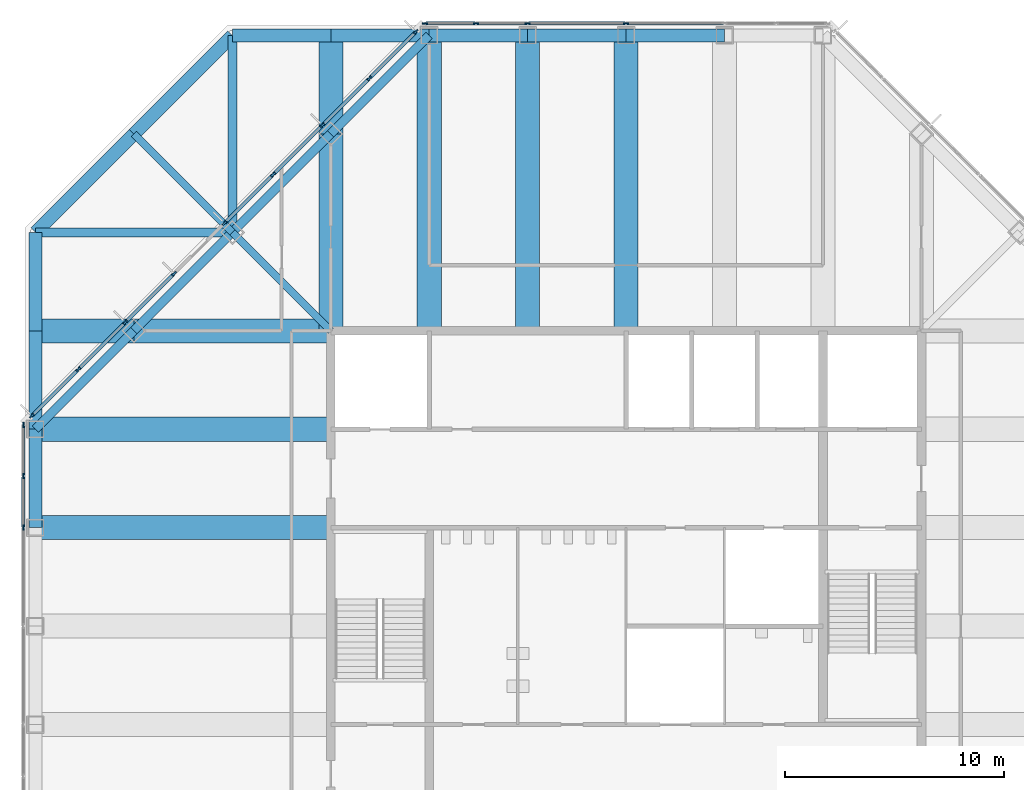
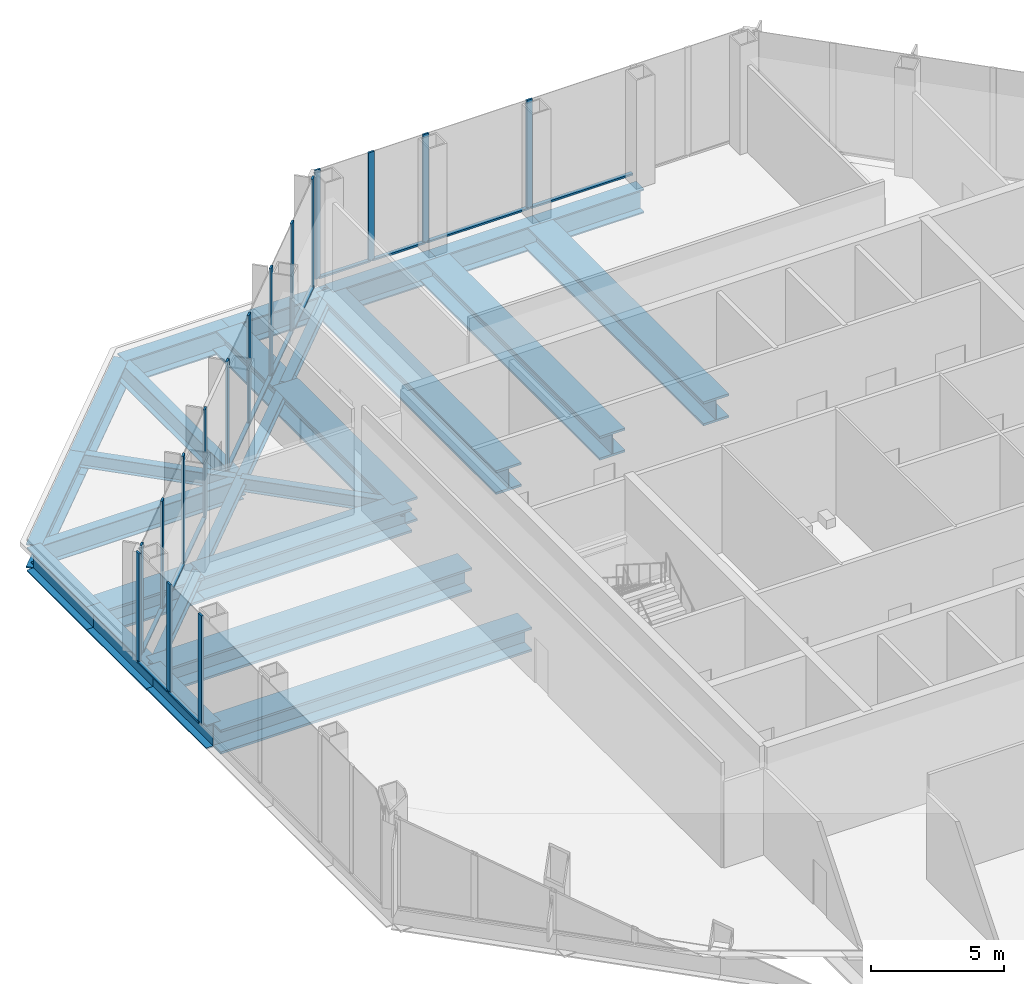
# One storey, part 4 of 12: 29 members, 27 beams, 4 elements without a shape of their own.
"""IFC4 building model written with IfcOpenShell, lengths in metres."""

from ifc_helpers import new_model, si_unit, direction, frame, origin, origin_2d, place, context, subcontext, project, spatial, rectangle, i_section, extrude, material, material_profile, profile_set, type_object, element, aggregate, save


model = new_model("IFC4")

# Units and contexts
model_context = context("Model", 3, precision=1e-05, world=origin(), true_north=direction((0.0, 1.0)))
body_context = subcontext(model_context, "Body", "Model", "MODEL_VIEW")
ifc_project = project(units=[si_unit("LENGTHUNIT", "METRE"), si_unit("AREAUNIT", "SQUARE_METRE"), si_unit("VOLUMEUNIT", "CUBIC_METRE"), si_unit("PLANEANGLEUNIT", "RADIAN"), si_unit("MASSUNIT", "GRAM", prefix="KILO")], contexts=[model_context])

# Site, building, storey
site_placement = place(None, origin())
site = spatial("IfcSite", under=ifc_project, at=site_placement, CompositionType="ELEMENT")
building_placement = place(site_placement, origin())
building = spatial("IfcBuilding", under=site, at=building_placement, Name="Corais Broadcast Tower", CompositionType="ELEMENT")
storey_placement = place(building_placement, frame((0.0, 0.0, 205.60009765625)))
storey = spatial("IfcBuildingStorey", under=building, at=storey_placement, Name="L47", CompositionType="ELEMENT", Elevation=205.60009765625)

# Beams
ifc_material_1 = material(Name="Steel ASTM A572 Grade 50", Category="steel")
ifc_material_profile_1 = material_profile(ifc_material_1, i_section(OverallWidth=0.323974609375, OverallDepth=0.611083984375, WebThickness=0.0126953125, FlangeThickness=0.01904296875, at=origin_2d()), Name="W610x155")
ifc_profile_set_1 = profile_set([ifc_material_profile_1], Name="Steel ASTM A572 Grade 50")
beam_type_1 = type_object("IfcBeamType", Name="Chamfer tie W610x155", PredefinedType="BEAM", material=ifc_profile_set_1)
beam_1_placement = place(storey_placement, frame((4.5, 49.5, -0.505615234375), z_axis=(0.707106781187, -0.707106781187, 0.0), x_axis=(0.707106781187, 0.707106781187, 0.0)))
element("IfcBeam", 1, at=beam_1_placement, inside=storey, type_object=beam_type_1, Name="B5 M/4 to L/5", PredefinedType="BEAM", context=body_context, shape_type="SweptSolid", body=[
    extrude(i_section(OverallWidth=0.323974609375, OverallDepth=0.611083984375, WebThickness=0.0126953125, FlangeThickness=0.01904296875, at=origin_2d()), origin(), (0.0, 0.0, 1.0), 6.364013671875),
])
ifc_material_2 = material(Name="Steel ASTM A572 Grade 50", Category="steel")
ifc_material_profile_2 = material_profile(ifc_material_2, i_section(OverallWidth=0.323974609375, OverallDepth=0.611083984375, WebThickness=0.0126953125, FlangeThickness=0.01904296875, at=origin_2d()), Name="W610x155")
ifc_profile_set_2 = profile_set([ifc_material_profile_2], Name="Steel ASTM A572 Grade 50")
beam_type_2 = type_object("IfcBeamType", Name="Corner diagonal W610x155", PredefinedType="BEAM", material=ifc_profile_set_2)
beam_2_placement = place(storey_placement, frame((9.0, 45.0, -0.485595703125), z_axis=(0.707106781187, -0.707106781187, 0.0), x_axis=(0.707106781187, 0.707106781187, 0.0)))
element("IfcBeam", 2, at=beam_2_placement, inside=storey, type_object=beam_type_2, Name="B6 L/5 to K/6", PredefinedType="BEAM", context=body_context, shape_type="SweptSolid", body=[
    extrude(i_section(OverallWidth=0.323974609375, OverallDepth=0.611083984375, WebThickness=0.0126953125, FlangeThickness=0.01904296875, at=origin_2d()), origin(), (0.0, 0.0, 1.0), 6.364013671875),
])

# Curtain wall, members
ifc_material_3 = material(Name="Aluminium and glass", Category="aluminium")
curtain_wall_type = type_object("IfcCurtainWallType", Name="Sky lobby curtain wall CW4", PredefinedType="NOTDEFINED", material=ifc_material_3)
curtain_wall_1_placement = place(storey_placement, origin())
curtain_wall_1 = element("IfcCurtainWall", 3, at=curtain_wall_1_placement, inside=storey, type_object=curtain_wall_type, Name="CW4 curtain wall L47 2", PredefinedType="NOTDEFINED")
ifc_material_4 = material(Name="Aluminium 6063-T6", Category="aluminium")
ifc_material_profile_3 = material_profile(ifc_material_4, rectangle(XDim=0.080078125, YDim=0.25, at=origin_2d()), Name="Mullion CW4 80x250")
ifc_profile_set_3 = profile_set([ifc_material_profile_3], Name="Aluminium 6063-T6")
member_type_1 = type_object("IfcMemberType", Name="Mullion CW4 80x250", PredefinedType="MULLION", material=ifc_profile_set_3)
member_1_placement = place(storey_placement, frame((-0.550048828125, 31.5, 0.0), z_axis=(0.0, 0.0, 1.0), x_axis=(-1.0, 0.0, 0.0)))
member_1 = element("IfcMember", 4, at=member_1_placement, type_object=member_type_1, Name="CW4 mullion 5", PredefinedType="MULLION", context=body_context, shape_type="SweptSolid", body=[
    extrude(rectangle(XDim=0.080078125, YDim=0.25, at=origin_2d()), origin(), (0.0, 0.0, 1.0), 5.0),
])
member_2_placement = place(storey_placement, frame((-0.550048828125, 33.864013671875, 0.0), z_axis=(0.0, 0.0, 1.0), x_axis=(-1.0, 0.0, 0.0)))
member_2 = element("IfcMember", 5, at=member_2_placement, type_object=member_type_1, Name="CW4 mullion 6", PredefinedType="MULLION", context=body_context, shape_type="SweptSolid", body=[
    extrude(rectangle(XDim=0.080078125, YDim=0.25, at=origin_2d()), origin(), (0.0, 0.0, 1.0), 5.0),
])
member_3_placement = place(storey_placement, frame((-0.550048828125, 36.187744140625, 0.0), z_axis=(0.0, 0.0, 1.0), x_axis=(-1.0, 0.0, 0.0)))
member_3 = element("IfcMember", 6, at=member_3_placement, type_object=member_type_1, Name="CW4 mullion 7", PredefinedType="MULLION", context=body_context, shape_type="SweptSolid", body=[
    extrude(rectangle(XDim=0.080078125, YDim=0.25, at=origin_2d()), origin(), (0.0, 0.0, 1.0), 5.0),
])

curtain_wall_2_placement = place(storey_placement, origin())
curtain_wall_2 = element("IfcCurtainWall", 7, at=curtain_wall_2_placement, inside=storey, type_object=curtain_wall_type, Name="CW4 curtain wall L47 3", PredefinedType="NOTDEFINED")
member_4_placement = place(storey_placement, frame((-0.168212890625, 36.609619140625, 0.0), z_axis=(0.0, 0.0, 1.0), x_axis=(-0.707106781187, 0.707106781187, 0.0)))
member_4 = element("IfcMember", 8, at=member_4_placement, type_object=member_type_1, Name="CW4 mullion 1", PredefinedType="MULLION", context=body_context, shape_type="SweptSolid", body=[
    extrude(rectangle(XDim=0.080078125, YDim=0.25, at=origin_2d()), origin(), (0.0, 0.0, 1.0), 5.0),
])
member_5_placement = place(storey_placement, frame((1.957275390625, 38.735107421875, 0.0), z_axis=(0.0, 0.0, 1.0), x_axis=(-0.707106781187, 0.707106781187, 0.0)))
member_5 = element("IfcMember", 9, at=member_5_placement, type_object=member_type_1, Name="CW4 mullion 2", PredefinedType="MULLION", context=body_context, shape_type="SweptSolid", body=[
    extrude(rectangle(XDim=0.080078125, YDim=0.25, at=origin_2d()), origin(), (0.0, 0.0, 1.0), 5.0),
])
member_6_placement = place(storey_placement, frame((4.111083984375, 40.888916015625, 0.0), z_axis=(0.0, 0.0, 1.0), x_axis=(-0.707106781187, 0.707106781187, 0.0)))
member_6 = element("IfcMember", 10, at=member_6_placement, type_object=member_type_1, Name="CW4 mullion 3", PredefinedType="MULLION", context=body_context, shape_type="SweptSolid", body=[
    extrude(rectangle(XDim=0.080078125, YDim=0.25, at=origin_2d()), origin(), (0.0, 0.0, 1.0), 5.0),
])
member_7_placement = place(storey_placement, frame((6.332763671875, 43.110595703125, 0.0), z_axis=(0.0, 0.0, 1.0), x_axis=(-0.707106781187, 0.707106781187, 0.0)))
member_7 = element("IfcMember", 11, at=member_7_placement, type_object=member_type_1, Name="CW4 mullion 4", PredefinedType="MULLION", context=body_context, shape_type="SweptSolid", body=[
    extrude(rectangle(XDim=0.080078125, YDim=0.25, at=origin_2d()), origin(), (0.0, 0.0, 1.0), 5.0),
])

curtain_wall_3_placement = place(storey_placement, origin())
curtain_wall_3 = element("IfcCurtainWall", 12, at=curtain_wall_3_placement, inside=storey, type_object=curtain_wall_type, Name="CW4 curtain wall L47 3", PredefinedType="NOTDEFINED")
member_8_placement = place(storey_placement, frame((8.639404296875, 45.417236328125, 0.0), z_axis=(0.0, 0.0, 1.0), x_axis=(-0.707106781187, 0.707106781187, 0.0)))
member_8 = element("IfcMember", 13, at=member_8_placement, type_object=member_type_1, Name="CW4 mullion 1", PredefinedType="MULLION", context=body_context, shape_type="SweptSolid", body=[
    extrude(rectangle(XDim=0.080078125, YDim=0.25, at=origin_2d()), origin(), (0.0, 0.0, 1.0), 5.0),
])
member_9_placement = place(storey_placement, frame((10.861083984375, 47.638916015625, 0.0), z_axis=(0.0, 0.0, 1.0), x_axis=(-0.707106781187, 0.707106781187, 0.0)))
member_9 = element("IfcMember", 14, at=member_9_placement, type_object=member_type_1, Name="CW4 mullion 2", PredefinedType="MULLION", context=body_context, shape_type="SweptSolid", body=[
    extrude(rectangle(XDim=0.080078125, YDim=0.25, at=origin_2d()), origin(), (0.0, 0.0, 1.0), 5.0),
])
member_10_placement = place(storey_placement, frame((13.111083984375, 49.888916015625, 0.0), z_axis=(0.0, 0.0, 1.0), x_axis=(-0.707106781187, 0.707106781187, 0.0)))
member_10 = element("IfcMember", 15, at=member_10_placement, type_object=member_type_1, Name="CW4 mullion 3", PredefinedType="MULLION", context=body_context, shape_type="SweptSolid", body=[
    extrude(rectangle(XDim=0.080078125, YDim=0.25, at=origin_2d()), origin(), (0.0, 0.0, 1.0), 5.0),
])
member_11_placement = place(storey_placement, frame((15.264892578125, 52.042724609375, 0.0), z_axis=(0.0, 0.0, 1.0), x_axis=(-0.707106781187, 0.707106781187, 0.0)))
member_11 = element("IfcMember", 16, at=member_11_placement, type_object=member_type_1, Name="CW4 mullion 4", PredefinedType="MULLION", context=body_context, shape_type="SweptSolid", body=[
    extrude(rectangle(XDim=0.080078125, YDim=0.25, at=origin_2d()), origin(), (0.0, 0.0, 1.0), 5.0),
])
member_12_placement = place(storey_placement, frame((17.390380859375, 54.168212890625, 0.0), z_axis=(0.0, 0.0, 1.0), x_axis=(-0.707106781187, 0.707106781187, 0.0)))
member_12 = element("IfcMember", 17, at=member_12_placement, type_object=member_type_1, Name="CW4 mullion 5", PredefinedType="MULLION", context=body_context, shape_type="SweptSolid", body=[
    extrude(rectangle(XDim=0.080078125, YDim=0.25, at=origin_2d()), origin(), (0.0, 0.0, 1.0), 5.0),
])

curtain_wall_4_placement = place(storey_placement, origin())
curtain_wall_4 = element("IfcCurtainWall", 18, at=curtain_wall_4_placement, inside=storey, type_object=curtain_wall_type, Name="CW4 curtain wall L47 4", PredefinedType="NOTDEFINED")
member_13_placement = place(storey_placement, frame((17.812255859375, 54.550048828125, 0.0), z_axis=(0.0, 0.0, 1.0), x_axis=(0.0, 1.0, 0.0)))
member_13 = element("IfcMember", 19, at=member_13_placement, type_object=member_type_1, Name="CW4 mullion 1", PredefinedType="MULLION", context=body_context, shape_type="SweptSolid", body=[
    extrude(rectangle(XDim=0.080078125, YDim=0.25, at=origin_2d()), origin(), (0.0, 0.0, 1.0), 5.0),
])
member_14_placement = place(storey_placement, frame((20.135986328125, 54.550048828125, 0.0), z_axis=(0.0, 0.0, 1.0), x_axis=(0.0, 1.0, 0.0)))
member_14 = element("IfcMember", 20, at=member_14_placement, type_object=member_type_1, Name="CW4 mullion 2", PredefinedType="MULLION", context=body_context, shape_type="SweptSolid", body=[
    extrude(rectangle(XDim=0.080078125, YDim=0.25, at=origin_2d()), origin(), (0.0, 0.0, 1.0), 5.0),
])
member_15_placement = place(storey_placement, frame((22.5, 54.550048828125, 0.0), z_axis=(0.0, 0.0, 1.0), x_axis=(0.0, 1.0, 0.0)))
member_15 = element("IfcMember", 21, at=member_15_placement, type_object=member_type_1, Name="CW4 mullion 3", PredefinedType="MULLION", context=body_context, shape_type="SweptSolid", body=[
    extrude(rectangle(XDim=0.080078125, YDim=0.25, at=origin_2d()), origin(), (0.0, 0.0, 1.0), 5.0),
])
member_16_placement = place(storey_placement, frame((27.0, 54.550048828125, 0.0), z_axis=(0.0, 0.0, 1.0), x_axis=(0.0, 1.0, 0.0)))
member_16 = element("IfcMember", 22, at=member_16_placement, type_object=member_type_1, Name="CW4 mullion 4", PredefinedType="MULLION", context=body_context, shape_type="SweptSolid", body=[
    extrude(rectangle(XDim=0.080078125, YDim=0.25, at=origin_2d()), origin(), (0.0, 0.0, 1.0), 5.0),
])

# Beams
ifc_material_5 = material(Name="Steel ASTM A572 Grade 50", Category="steel")
ifc_material_profile_4 = material_profile(ifc_material_5, i_section(OverallWidth=0.40087890625, OverallDepth=0.386962890625, WebThickness=0.02099609375, FlangeThickness=0.033203125, at=origin_2d()), Name="W360x262")
ifc_profile_set_4 = profile_set([ifc_material_profile_4], Name="Steel ASTM A572 Grade 50")
beam_type_3 = type_object("IfcBeamType", Name="Transfer chord W360x262", PredefinedType="BEAM", material=ifc_profile_set_4)
for number, where, z_axis, x_axis, name in (
    (23, (13.5, 49.5, -0.37353515625), (-0.707106781187, -0.707106781187, 0.0), (0.707106781187, -0.707106781187, 0.0), "TC1 M/6 to L/5"),
    (24, (18.0, 54.0, -0.37353515625), (-0.707106781187, -0.707106781187, 0.0), (0.707106781187, -0.707106781187, 0.0), "TC1 N/7 to M/6"),
    (25, (4.5, 40.5, -0.37353515625), (-0.707106781187, -0.707106781187, 0.0), (0.707106781187, -0.707106781187, 0.0), "TC1 K/4 to J/3"),
    (26, (9.0, 45.0, -0.37353515625), (-0.707106781187, -0.707106781187, 0.0), (0.707106781187, -0.707106781187, 0.0), "TC1 L/5 to K/4"),
):
    element("IfcBeam", number, at=place(storey_placement, frame(where, z_axis=z_axis, x_axis=x_axis)), inside=storey, type_object=beam_type_3, Name=name, PredefinedType="BEAM", context=body_context, shape_type="SweptSolid", body=[
        extrude(i_section(OverallWidth=0.40087890625, OverallDepth=0.386962890625, WebThickness=0.02099609375, FlangeThickness=0.033203125, at=origin_2d()), origin(), (0.0, 0.0, 1.0), 6.364013671875),
    ])
ifc_material_6 = material(Name="Steel ASTM A572 Grade 50", Category="steel")
ifc_material_profile_5 = material_profile(ifc_material_6, i_section(OverallWidth=0.408935546875, OverallDepth=0.927001953125, WebThickness=0.0166015625, FlangeThickness=0.030029296875, at=origin_2d()), Name="W920x289")
ifc_profile_set_5 = profile_set([ifc_material_profile_5], Name="Steel ASTM A572 Grade 50")
beam_type_4 = type_object("IfcBeamType", Name="Transfer corner girder W920x289", PredefinedType="BEAM", material=ifc_profile_set_5)
for number, where, z_axis, x_axis, name in (
    (27, (0.0, 45.0, -0.66357421875), (1.0, 0.0, 0.0), (0.0, 1.0, 0.0), "B14 L/3 to L/5"),
    (28, (9.0, 54.0, -0.66357421875), (0.0, -1.0, 0.0), (1.0, 0.0, 0.0), "B14 N/5 to L/5"),
):
    element("IfcBeam", number, at=place(storey_placement, frame(where, z_axis=z_axis, x_axis=x_axis)), inside=storey, type_object=beam_type_4, Name=name, PredefinedType="BEAM", context=body_context, shape_type="SweptSolid", body=[
        extrude(i_section(OverallWidth=0.408935546875, OverallDepth=0.927001953125, WebThickness=0.0166015625, FlangeThickness=0.030029296875, at=origin_2d()), origin(), (0.0, 0.0, 1.0), 9.0),
    ])
ifc_material_7 = material(Name="Steel ASTM A572 Grade 50", Category="steel")
ifc_material_profile_6 = material_profile(ifc_material_7, i_section(OverallWidth=1.10009765625, OverallDepth=1.10009765625, WebThickness=0.030029296875, FlangeThickness=0.10009765625, at=origin_2d()), Name="PG1100x1939")
ifc_profile_set_6 = profile_set([ifc_material_profile_6], Name="Steel ASTM A572 Grade 50")
beam_type_5 = type_object("IfcBeamType", Name="Transfer floor beam PG1100x1939", PredefinedType="BEAM", material=ifc_profile_set_6)
for number, where, z_axis, x_axis, name in (
    (29, (0.0, 31.5, -0.72998046875), (1.0, 0.0, 0.0), (0.0, 1.0, 0.0), "B19 H/3 to H/6"),
    (30, (0.0, 36.0, -0.72998046875), (1.0, 0.0, 0.0), (0.0, 1.0, 0.0), "B19 J/3 to J/6"),
):
    element("IfcBeam", number, at=place(storey_placement, frame(where, z_axis=z_axis, x_axis=x_axis)), inside=storey, type_object=beam_type_5, Name=name, PredefinedType="BEAM", context=body_context, shape_type="SweptSolid", body=[
        extrude(i_section(OverallWidth=1.10009765625, OverallDepth=1.10009765625, WebThickness=0.030029296875, FlangeThickness=0.10009765625, at=origin_2d()), origin(), (0.0, 0.0, 1.0), 13.5),
    ])
beam_3_placement = place(storey_placement, frame((0.0, 40.5, -0.75), z_axis=(1.0, 0.0, 0.0), x_axis=(0.0, 1.0, 0.0)))
element("IfcBeam", 31, at=beam_3_placement, inside=storey, type_object=beam_type_5, Name="B19 K/3 to K/4", PredefinedType="BEAM", context=body_context, shape_type="SweptSolid", body=[
    extrude(i_section(OverallWidth=1.10009765625, OverallDepth=1.10009765625, WebThickness=0.030029296875, FlangeThickness=0.10009765625, at=origin_2d()), origin(), (0.0, 0.0, 1.0), 4.5),
])
beam_4_placement = place(storey_placement, frame((13.5, 49.5, -0.72998046875), z_axis=(0.0, -1.0, 0.0), x_axis=(1.0, 0.0, 0.0)))
element("IfcBeam", 32, at=beam_4_placement, inside=storey, type_object=beam_type_5, Name="B19 M/6 to K/6", PredefinedType="BEAM", context=body_context, shape_type="SweptSolid", body=[
    extrude(i_section(OverallWidth=1.10009765625, OverallDepth=1.10009765625, WebThickness=0.030029296875, FlangeThickness=0.10009765625, at=origin_2d()), origin(), (0.0, 0.0, 1.0), 9.0),
])
beam_5_placement = place(storey_placement, frame((13.5, 54.0, -0.75), z_axis=(0.0, -1.0, 0.0), x_axis=(1.0, 0.0, 0.0)))
element("IfcBeam", 33, at=beam_5_placement, inside=storey, type_object=beam_type_5, Name="B19 N/6 to M/6", PredefinedType="BEAM", context=body_context, shape_type="SweptSolid", body=[
    extrude(i_section(OverallWidth=1.10009765625, OverallDepth=1.10009765625, WebThickness=0.030029296875, FlangeThickness=0.10009765625, at=origin_2d()), origin(), (0.0, 0.0, 1.0), 4.5),
])
for number, where, z_axis, x_axis, name in (
    (34, (18.0, 54.0, -0.72998046875), (0.0, -1.0, 0.0), (1.0, 0.0, 0.0), "B19 N/7 to K/7"),
    (35, (22.5, 54.0, -0.72998046875), (0.0, -1.0, 0.0), (1.0, 0.0, 0.0), "B19 N/8 to K/8"),
    (36, (27.0, 54.0, -0.72998046875), (0.0, -1.0, 0.0), (1.0, 0.0, 0.0), "B19 N/9 to K/9"),
):
    element("IfcBeam", number, at=place(storey_placement, frame(where, z_axis=z_axis, x_axis=x_axis)), inside=storey, type_object=beam_type_5, Name=name, PredefinedType="BEAM", context=body_context, shape_type="SweptSolid", body=[
        extrude(i_section(OverallWidth=1.10009765625, OverallDepth=1.10009765625, WebThickness=0.030029296875, FlangeThickness=0.10009765625, at=origin_2d()), origin(), (0.0, 0.0, 1.0), 13.5),
    ])
beam_6_placement = place(storey_placement, frame((4.5, 40.5, -0.72998046875), z_axis=(1.0, 0.0, 0.0), x_axis=(0.0, 1.0, 0.0)))
element("IfcBeam", 37, at=beam_6_placement, inside=storey, type_object=beam_type_5, Name="B19 K/4 to K/6", PredefinedType="BEAM", context=body_context, shape_type="SweptSolid", body=[
    extrude(i_section(OverallWidth=1.10009765625, OverallDepth=1.10009765625, WebThickness=0.030029296875, FlangeThickness=0.10009765625, at=origin_2d()), origin(), (0.0, 0.0, 1.0), 9.0),
])
ifc_material_8 = material(Name="Steel ASTM A572 Grade 50", Category="steel")
ifc_material_profile_7 = material_profile(ifc_material_8, i_section(OverallWidth=0.60009765625, OverallDepth=1.10009765625, WebThickness=0.030029296875, FlangeThickness=0.06005859375, at=origin_2d()), Name="PG1100x796")
ifc_profile_set_7 = profile_set([ifc_material_profile_7], Name="Steel ASTM A572 Grade 50")
beam_type_6 = type_object("IfcBeamType", Name="Transfer spandrel PG1100x796", PredefinedType="BEAM", material=ifc_profile_set_7)
for number, where, z_axis, x_axis, name in (
    (38, (0.0, 36.0, -0.72998046875), (0.0, -1.0, 0.0), (1.0, 0.0, 0.0), "SB5 J/3 to H/3"),
    (39, (0.0, 40.5, -0.75), (0.0, -1.0, 0.0), (1.0, 0.0, 0.0), "SB5 K/3 to J/3"),
    (40, (0.0, 45.0, -0.75), (0.0, -1.0, 0.0), (1.0, 0.0, 0.0), "SB5 L/3 to K/3"),
    (41, (13.5, 54.0, -0.75), (-1.0, 0.0, 0.0), (0.0, -1.0, 0.0), "SB5 N/6 to N/5"),
    (42, (18.0, 54.0, -0.75), (-1.0, 0.0, 0.0), (0.0, -1.0, 0.0), "SB5 N/7 to N/6"),
    (43, (22.5, 54.0, -0.72998046875), (-1.0, 0.0, 0.0), (0.0, -1.0, 0.0), "SB5 N/8 to N/7"),
    (44, (27.0, 54.0, -0.72998046875), (-1.0, 0.0, 0.0), (0.0, -1.0, 0.0), "SB5 N/9 to N/8"),
    (45, (31.5, 54.0, -0.72998046875), (-1.0, 0.0, 0.0), (0.0, -1.0, 0.0), "SB5 N/10 to N/9"),
):
    element("IfcBeam", number, at=place(storey_placement, frame(where, z_axis=z_axis, x_axis=x_axis)), inside=storey, type_object=beam_type_6, Name=name, PredefinedType="BEAM", context=body_context, shape_type="SweptSolid", body=[
        extrude(i_section(OverallWidth=0.60009765625, OverallDepth=1.10009765625, WebThickness=0.030029296875, FlangeThickness=0.06005859375, at=origin_2d()), origin(), (0.0, 0.0, 1.0), 4.5),
    ])
for number, where, z_axis, x_axis, name in (
    (46, (4.5, 49.5, -0.75), (-0.707106781187, -0.707106781187, 0.0), (0.707106781187, -0.707106781187, 0.0), "SB5 M/4 to L/3"),
    (47, (9.0, 54.0, -0.75), (-0.707106781187, -0.707106781187, 0.0), (0.707106781187, -0.707106781187, 0.0), "SB5 N/5 to M/4"),
):
    element("IfcBeam", number, at=place(storey_placement, frame(where, z_axis=z_axis, x_axis=x_axis)), inside=storey, type_object=beam_type_6, Name=name, PredefinedType="BEAM", context=body_context, shape_type="SweptSolid", body=[
        extrude(i_section(OverallWidth=0.60009765625, OverallDepth=1.10009765625, WebThickness=0.030029296875, FlangeThickness=0.06005859375, at=origin_2d()), origin(), (0.0, 0.0, 1.0), 6.364013671875),
    ])

# Member
ifc_material_9 = material(Name="Aluminium 6063-T6", Category="aluminium")
ifc_material_profile_8 = material_profile(ifc_material_9, rectangle(XDim=0.159912109375, YDim=0.080078125, at=origin_2d()), Name="Transom CW4 80x160")
ifc_profile_set_8 = profile_set([ifc_material_profile_8], Name="Aluminium 6063-T6")
member_type_2 = type_object("IfcMemberType", Name="Transom CW4 80x160", PredefinedType="USERDEFINED", material=ifc_profile_set_8)
member_17_placement = place(storey_placement, frame((-0.550048828125, 31.5400390625, 0.039794921875), z_axis=(0.0, 1.0, 0.0), x_axis=(-1.0, 0.0, 0.0)))
member_17 = element("IfcMember", 48, at=member_17_placement, type_object=member_type_2, Name="CW4 transom 5.1", ObjectType="TRANSOM", PredefinedType="USERDEFINED", context=body_context, shape_type="SweptSolid", body=[
    extrude(rectangle(XDim=0.159912109375, YDim=0.080078125, at=origin_2d()), origin(), (0.0, 0.0, 1.0), 2.283935546875),
])

member_18_placement = place(storey_placement, frame((-0.550048828125, 33.90380859375, 0.039794921875), z_axis=(0.0, 1.0, 0.0), x_axis=(-1.0, 0.0, 0.0)))
member_18 = element("IfcMember", 49, at=member_18_placement, type_object=member_type_2, Name="CW4 transom 6.1", ObjectType="TRANSOM", PredefinedType="USERDEFINED", context=body_context, shape_type="SweptSolid", body=[
    extrude(rectangle(XDim=0.159912109375, YDim=0.080078125, at=origin_2d()), origin(), (0.0, 0.0, 1.0), 2.243896484375),
])

aggregate(curtain_wall_1, [member_1, member_2, member_3, member_17, member_18])

member_19_placement = place(storey_placement, frame((-0.139892578125, 36.637939453125, 0.039794921875), z_axis=(0.707106781187, 0.707106781187, 0.0), x_axis=(-0.707106781187, 0.707106781187, 0.0)))
member_19 = element("IfcMember", 50, at=member_19_placement, type_object=member_type_2, Name="CW4 transom 1.1", ObjectType="TRANSOM", PredefinedType="USERDEFINED", context=body_context, shape_type="SweptSolid", body=[
    extrude(rectangle(XDim=0.159912109375, YDim=0.080078125, at=origin_2d()), origin(), (0.0, 0.0, 1.0), 2.92578125),
])

member_20_placement = place(storey_placement, frame((1.985595703125, 38.763427734375, 0.039794921875), z_axis=(0.707106781187, 0.707106781187, 0.0), x_axis=(-0.707106781187, 0.707106781187, 0.0)))
member_20 = element("IfcMember", 51, at=member_20_placement, type_object=member_type_2, Name="CW4 transom 2.1", ObjectType="TRANSOM", PredefinedType="USERDEFINED", context=body_context, shape_type="SweptSolid", body=[
    extrude(rectangle(XDim=0.159912109375, YDim=0.080078125, at=origin_2d()), origin(), (0.0, 0.0, 1.0), 2.9658203125),
])

member_21_placement = place(storey_placement, frame((4.139404296875, 40.917236328125, 0.039794921875), z_axis=(0.707106781187, 0.707106781187, 0.0), x_axis=(-0.707106781187, 0.707106781187, 0.0)))
member_21 = element("IfcMember", 52, at=member_21_placement, type_object=member_type_2, Name="CW4 transom 3.1", ObjectType="TRANSOM", PredefinedType="USERDEFINED", context=body_context, shape_type="SweptSolid", body=[
    extrude(rectangle(XDim=0.159912109375, YDim=0.080078125, at=origin_2d()), origin(), (0.0, 0.0, 1.0), 3.061767578125),
])

aggregate(curtain_wall_2, [member_4, member_5, member_6, member_7, member_19, member_20, member_21])

member_22_placement = place(storey_placement, frame((8.667724609375, 45.445556640625, 0.039794921875), z_axis=(0.707106781187, 0.707106781187, 0.0), x_axis=(-0.707106781187, 0.707106781187, 0.0)))
member_22 = element("IfcMember", 53, at=member_22_placement, type_object=member_type_2, Name="CW4 transom 1.1", ObjectType="TRANSOM", PredefinedType="USERDEFINED", context=body_context, shape_type="SweptSolid", body=[
    extrude(rectangle(XDim=0.159912109375, YDim=0.080078125, at=origin_2d()), origin(), (0.0, 0.0, 1.0), 3.061767578125),
])

member_23_placement = place(storey_placement, frame((10.889404296875, 47.667236328125, 0.039794921875), z_axis=(0.707106781187, 0.707106781187, 0.0), x_axis=(-0.707106781187, 0.707106781187, 0.0)))
member_23 = element("IfcMember", 54, at=member_23_placement, type_object=member_type_2, Name="CW4 transom 2.1", ObjectType="TRANSOM", PredefinedType="USERDEFINED", context=body_context, shape_type="SweptSolid", body=[
    extrude(rectangle(XDim=0.159912109375, YDim=0.080078125, at=origin_2d()), origin(), (0.0, 0.0, 1.0), 3.101806640625),
])

member_24_placement = place(storey_placement, frame((13.139404296875, 49.917236328125, 0.039794921875), z_axis=(0.707106781187, 0.707106781187, 0.0), x_axis=(-0.707106781187, 0.707106781187, 0.0)))
member_24 = element("IfcMember", 55, at=member_24_placement, type_object=member_type_2, Name="CW4 transom 3.1", ObjectType="TRANSOM", PredefinedType="USERDEFINED", context=body_context, shape_type="SweptSolid", body=[
    extrude(rectangle(XDim=0.159912109375, YDim=0.080078125, at=origin_2d()), origin(), (0.0, 0.0, 1.0), 2.9658203125),
])

member_25_placement = place(storey_placement, frame((15.293212890625, 52.071044921875, 0.039794921875), z_axis=(0.707106781187, 0.707106781187, 0.0), x_axis=(-0.707106781187, 0.707106781187, 0.0)))
member_25 = element("IfcMember", 56, at=member_25_placement, type_object=member_type_2, Name="CW4 transom 4.1", ObjectType="TRANSOM", PredefinedType="USERDEFINED", context=body_context, shape_type="SweptSolid", body=[
    extrude(rectangle(XDim=0.159912109375, YDim=0.080078125, at=origin_2d()), origin(), (0.0, 0.0, 1.0), 2.92578125),
])

aggregate(curtain_wall_3, [member_8, member_9, member_10, member_11, member_12, member_22, member_23, member_24, member_25])

member_26_placement = place(storey_placement, frame((17.852294921875, 54.550048828125, 0.039794921875), z_axis=(1.0, 0.0, 0.0), x_axis=(0.0, 1.0, 0.0)))
member_26 = element("IfcMember", 57, at=member_26_placement, type_object=member_type_2, Name="CW4 transom 1.1", ObjectType="TRANSOM", PredefinedType="USERDEFINED", context=body_context, shape_type="SweptSolid", body=[
    extrude(rectangle(XDim=0.159912109375, YDim=0.080078125, at=origin_2d()), origin(), (0.0, 0.0, 1.0), 2.243896484375),
])

member_27_placement = place(storey_placement, frame((20.176025390625, 54.550048828125, 0.039794921875), z_axis=(1.0, 0.0, 0.0), x_axis=(0.0, 1.0, 0.0)))
member_27 = element("IfcMember", 58, at=member_27_placement, type_object=member_type_2, Name="CW4 transom 2.1", ObjectType="TRANSOM", PredefinedType="USERDEFINED", context=body_context, shape_type="SweptSolid", body=[
    extrude(rectangle(XDim=0.159912109375, YDim=0.080078125, at=origin_2d()), origin(), (0.0, 0.0, 1.0), 2.283935546875),
])

member_28_placement = place(storey_placement, frame((22.5400390625, 54.550048828125, 0.039794921875), z_axis=(1.0, 0.0, 0.0), x_axis=(0.0, 1.0, 0.0)))
member_28 = element("IfcMember", 59, at=member_28_placement, type_object=member_type_2, Name="CW4 transom 3.1", ObjectType="TRANSOM", PredefinedType="USERDEFINED", context=body_context, shape_type="SweptSolid", body=[
    extrude(rectangle(XDim=0.159912109375, YDim=0.080078125, at=origin_2d()), origin(), (0.0, 0.0, 1.0), 4.419921875),
])

member_29_placement = place(storey_placement, frame((27.0400390625, 54.550048828125, 0.039794921875), z_axis=(1.0, 0.0, 0.0), x_axis=(0.0, 1.0, 0.0)))
member_29 = element("IfcMember", 60, at=member_29_placement, type_object=member_type_2, Name="CW4 transom 4.1", ObjectType="TRANSOM", PredefinedType="USERDEFINED", context=body_context, shape_type="SweptSolid", body=[
    extrude(rectangle(XDim=0.159912109375, YDim=0.080078125, at=origin_2d()), origin(), (0.0, 0.0, 1.0), 4.419921875),
])

aggregate(curtain_wall_4, [member_13, member_14, member_15, member_16, member_26, member_27, member_28, member_29])

save(model, "model.ifc")
